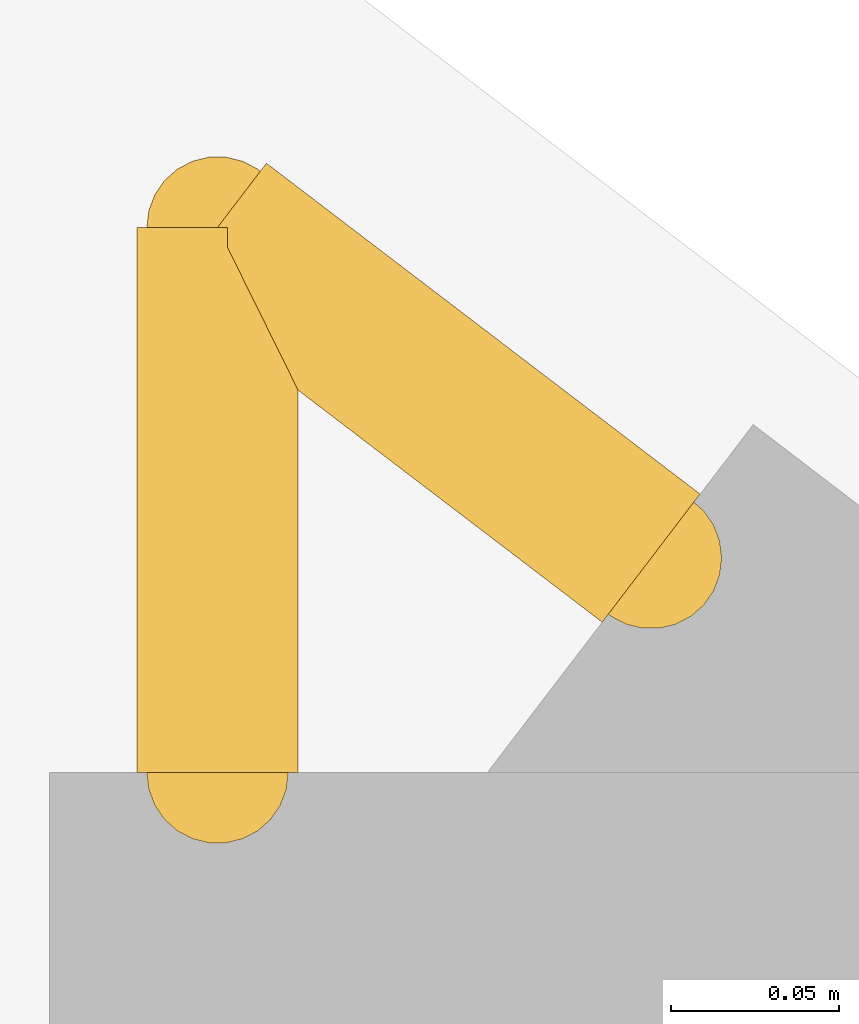
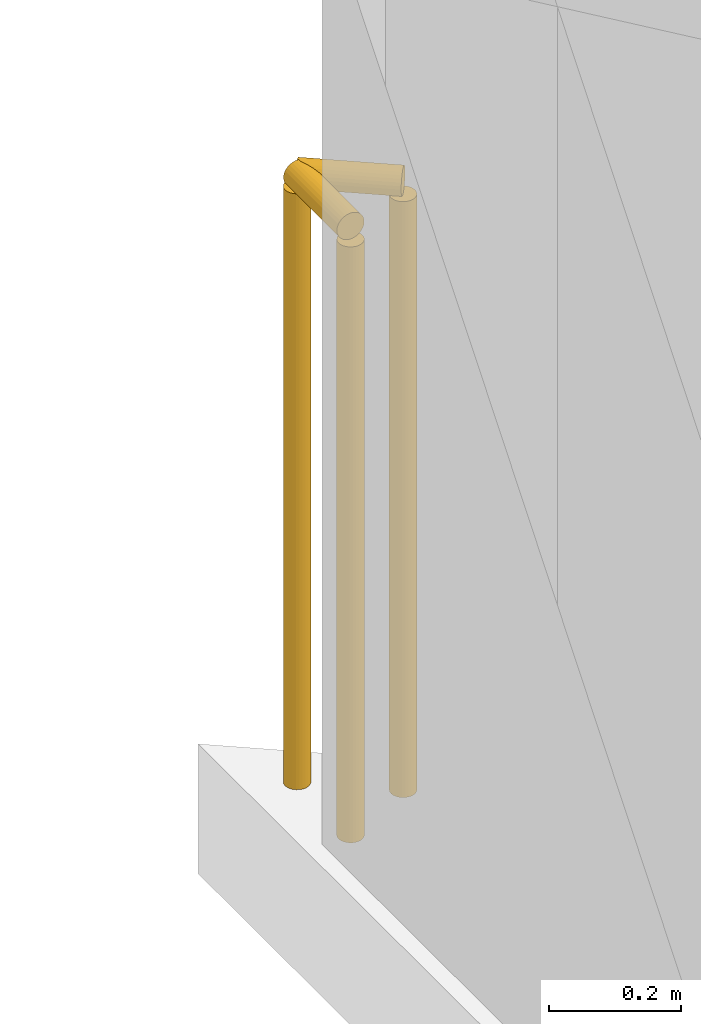
# One storey, part 15 of 15: 2 railings.
"""IFC4 building model written with IfcOpenShell, lengths in metres."""

from ifc_helpers import new_model, si_unit, direction, frame, origin, origin_2d, place, context, subcontext, project, spatial, circle, extrude, material, type_object, element, save


model = new_model("IFC4")

# Units and contexts
model_context = context("Model", 3, precision=1e-05, world=origin(), true_north=direction((0.0, 1.0)))
body_context = subcontext(model_context, "Body", "Model", "MODEL_VIEW")
ifc_project = project(units=[si_unit("LENGTHUNIT", "METRE"), si_unit("AREAUNIT", "SQUARE_METRE"), si_unit("VOLUMEUNIT", "CUBIC_METRE"), si_unit("PLANEANGLEUNIT", "RADIAN"), si_unit("MASSUNIT", "GRAM", prefix="KILO")], contexts=[model_context])

# Site, building, storey
site_placement = place(None, origin())
site = spatial("IfcSite", under=ifc_project, at=site_placement, CompositionType="ELEMENT")
building_placement = place(site_placement, origin())
building = spatial("IfcBuilding", under=site, at=building_placement, Name="Varnakote Quay Hospital", CompositionType="ELEMENT")
storey_placement = place(building_placement, frame((0.0, 0.0, 284.199951171875)))
storey = spatial("IfcBuildingStorey", under=building, at=storey_placement, Name="L70", CompositionType="ELEMENT", Elevation=284.199951171875)

# Railings
ifc_material = material(Name="Anodised aluminium 6063-T6 Bronze", Category="aluminium")
railing_type = type_object("IfcRailingType", Name="RLG-EXT-GUARD-1150", PredefinedType="GUARDRAIL", material=ifc_material)
railing_1_placement = place(storey_placement, frame((2.3798828125, 40.67626953125, 0.0)))
element("IfcRailing", 1, at=railing_1_placement, inside=storey, type_object=railing_type, Name="L70 Slab Edge Perimeter Safety Guard", PredefinedType="GUARDRAIL", context=body_context, shape_type="SweptSolid", body=[
    extrude(circle(Radius=0.02392578125, at=origin_2d()), frame((0.0, 0.0, 1.1259765625), z_axis=(0.0, 1.0, 0.0), x_axis=(-1.0, 0.0, 0.0)), (0.0, 0.0, 1.0), 0.161865234375),
    extrude(circle(Radius=0.02099609375, at=origin_2d()), origin(), (0.0, 0.0, 1.0), 1.101806640625),
    extrude(circle(Radius=0.02099609375, at=origin_2d()), frame((0.0, 0.161865234375, 0.0)), (0.0, 0.0, 1.0), 1.101806640625),
])
railing_2_placement = place(storey_placement, frame((2.3798828125, 40.838134765625, 0.0)))
element("IfcRailing", 2, at=railing_2_placement, inside=storey, type_object=railing_type, Name="L70 Slab Edge Perimeter Safety Guard", PredefinedType="GUARDRAIL", context=body_context, shape_type="SweptSolid", body=[
    extrude(circle(Radius=0.02392578125, at=origin_2d()), frame((0.0, 0.0, 1.1259765625), z_axis=(0.795085260009, -0.606497674618, 0.0), x_axis=(0.606497674618, 0.795085260009, 0.0)), (0.0, 0.0, 1.0), 0.161865234375),
    extrude(circle(Radius=0.02099609375, at=origin_2d()), origin(), (0.0, 0.0, 1.0), 1.101806640625),
    extrude(circle(Radius=0.02099609375, at=origin_2d()), frame((0.128662109375, -0.09814453125, 0.0)), (0.0, 0.0, 1.0), 1.101806640625),
])

save(model, "model.ifc")
